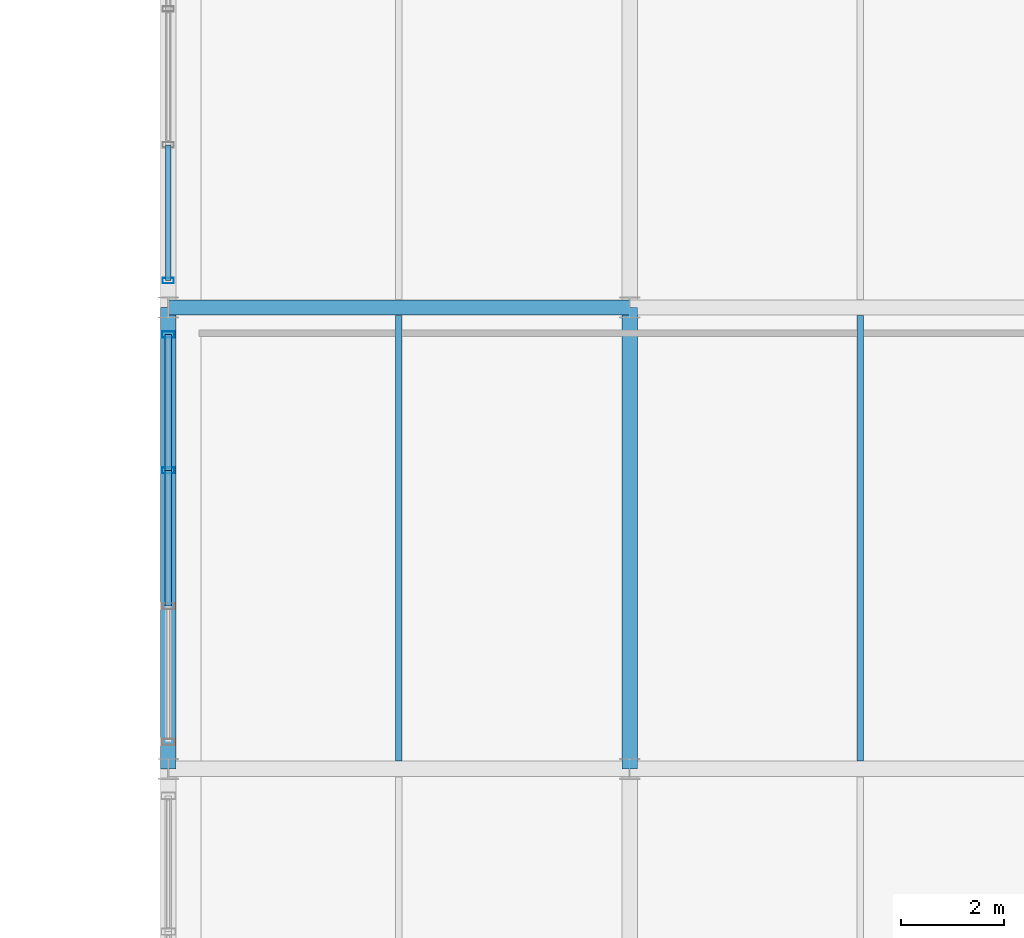
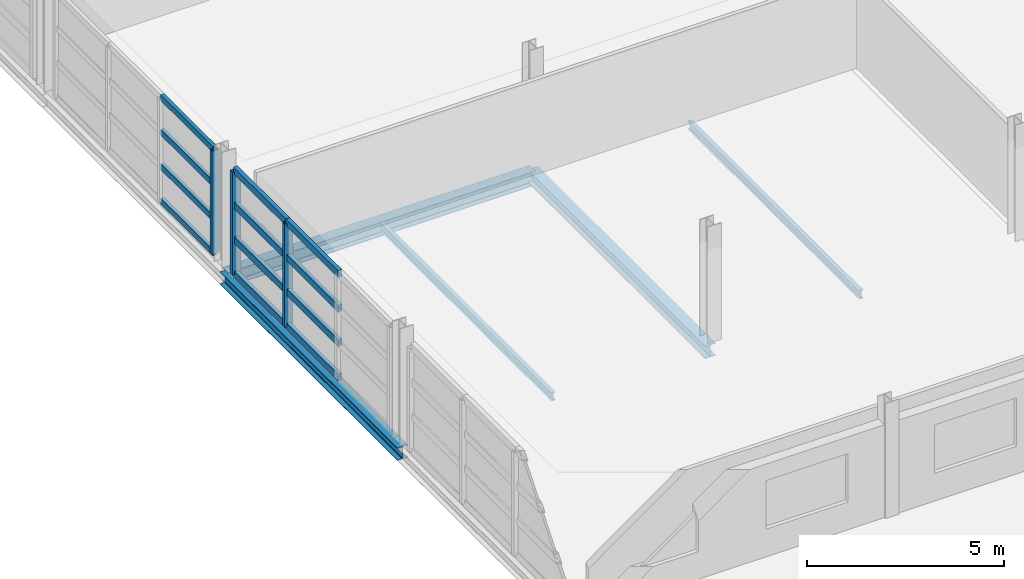
# One storey, part 68 of 116: 15 members, 5 beams, 2 elements without a shape of their own.
"""IFC4 building model written with IfcOpenShell, lengths in metres."""

from ifc_helpers import new_model, si_unit, direction, frame, origin, origin_2d, place, context, subcontext, project, spatial, hollow_rectangle, i_section, extrude, material, material_profile, profile_set, type_object, element, aggregate, save


model = new_model("IFC4")

# Units and contexts
model_context = context("Model", 3, precision=1e-05, world=origin(), true_north=direction((0.0, 1.0)))
body_context = subcontext(model_context, "Body", "Model", "MODEL_VIEW")
ifc_project = project(units=[si_unit("LENGTHUNIT", "METRE"), si_unit("AREAUNIT", "SQUARE_METRE"), si_unit("VOLUMEUNIT", "CUBIC_METRE"), si_unit("PLANEANGLEUNIT", "RADIAN"), si_unit("MASSUNIT", "GRAM", prefix="KILO")], contexts=[model_context])

# Site, building, storey
site_placement = place(None, origin())
site = spatial("IfcSite", under=ifc_project, at=site_placement, CompositionType="ELEMENT")
building_placement = place(site_placement, origin())
building = spatial("IfcBuilding", under=site, at=building_placement, Name="Chuanluo Vaults Station", CompositionType="ELEMENT")
storey_placement = place(building_placement, frame((0.0, 0.0, 10.800048828125)))
storey = spatial("IfcBuildingStorey", under=building, at=storey_placement, Name="L02", CompositionType="ELEMENT", Elevation=10.800048828125)

# Beams
ifc_material_1 = material(Name="Steel Q355C", Category="steel")
ifc_material_profile_1 = material_profile(ifc_material_1, i_section(OverallWidth=0.300048828125, OverallDepth=0.389892578125, WebThickness=0.010009765625, FlangeThickness=0.01611328125, FilletRadius=0.02001953125, at=origin_2d()))
ifc_profile_set_1 = profile_set([ifc_material_profile_1], Name="Steel Q355C")
beam_type_1 = type_object("IfcBeamType", Name="BM-GRD-400", PredefinedType="BEAM", material=ifc_profile_set_1)
for number, where, z_axis, x_axis, name in (
    (1, (145.0, 76.5, -0.4150390625), (0.0, 1.0, 0.0), (-1.0, 0.0, 0.0), "Floor girder BM:GY:L02:0647"),
    (2, (154.0, 76.5, -0.4150390625), (0.0, 1.0, 0.0), (-1.0, 0.0, 0.0), "Floor girder BM:GY:L02:0659"),
):
    element("IfcBeam", number, at=place(storey_placement, frame(where, z_axis=z_axis, x_axis=x_axis)), inside=storey, type_object=beam_type_1, Name=name, PredefinedType="BEAM", context=body_context, shape_type="SweptSolid", body=[
        extrude(i_section(OverallWidth=0.300048828125, OverallDepth=0.389892578125, WebThickness=0.010009765625, FlangeThickness=0.01611328125, FilletRadius=0.02001953125, at=origin_2d()), origin(), (0.0, 0.0, 1.0), 9.0),
    ])
ifc_material_2 = material(Name="Steel Q355C", Category="steel")
ifc_material_profile_2 = material_profile(ifc_material_2, i_section(OverallWidth=0.300048828125, OverallDepth=0.43994140625, WebThickness=0.010986328125, FlangeThickness=0.01806640625, FilletRadius=0.02001953125, at=origin_2d()))
ifc_profile_set_2 = profile_set([ifc_material_profile_2], Name="Steel Q355C")
beam_type_2 = type_object("IfcBeamType", Name="BM-GRD-450", PredefinedType="USERDEFINED", material=ifc_profile_set_2)
beam_placement = place(storey_placement, frame((145.0, 85.5, -0.43994140625), z_axis=(1.0, 0.0, 0.0), x_axis=(0.0, 1.0, 0.0)))
element("IfcBeam", 3, at=beam_placement, inside=storey, type_object=beam_type_2, Name="Floor girder BM:GX:L02:0588", ObjectType="GIRDER", PredefinedType="USERDEFINED", context=body_context, shape_type="SweptSolid", body=[
    extrude(i_section(OverallWidth=0.300048828125, OverallDepth=0.43994140625, WebThickness=0.010986328125, FlangeThickness=0.01806640625, FilletRadius=0.02001953125, at=origin_2d()), origin(), (0.0, 0.0, 1.0), 9.0),
])
ifc_material_3 = material(Name="Steel Q355C", Category="steel")
ifc_material_profile_3 = material_profile(ifc_material_3, i_section(OverallWidth=0.125, OverallDepth=0.25, WebThickness=0.006103515625, FlangeThickness=0.009033203125, FilletRadius=0.011962890625, at=origin_2d()))
ifc_profile_set_3 = profile_set([ifc_material_profile_3], Name="Steel Q355C")
beam_type_3 = type_object("IfcBeamType", Name="BM-SEC-250", PredefinedType="JOIST", material=ifc_profile_set_3)
for number, where, z_axis, x_axis, name in (
    (4, (149.5, 76.655029296875, -0.344970703125), (0.0, 1.0, 0.0), (-1.0, 0.0, 0.0), "Composite secondary joist 0204"),
    (5, (158.5, 76.655029296875, -0.344970703125), (0.0, 1.0, 0.0), (-1.0, 0.0, 0.0), "Composite secondary joist 0213"),
):
    element("IfcBeam", number, at=place(storey_placement, frame(where, z_axis=z_axis, x_axis=x_axis)), inside=storey, type_object=beam_type_3, Name=name, PredefinedType="JOIST", context=body_context, shape_type="SweptSolid", body=[
        extrude(i_section(OverallWidth=0.125, OverallDepth=0.25, WebThickness=0.006103515625, FlangeThickness=0.009033203125, FilletRadius=0.011962890625, at=origin_2d()), origin(), (0.0, 0.0, 1.0), 8.68994140625),
    ])

# Curtain wall, member
ifc_material_4 = material(Name="Anodised aluminium 6063-T6", Category="aluminium")
curtain_wall_type_1 = type_object("IfcCurtainWallType", Name="CW-SYS-04", PredefinedType="NOTDEFINED", material=ifc_material_4)
curtain_wall_1_placement = place(storey_placement, origin())
curtain_wall_1 = element("IfcCurtainWall", 6, at=curtain_wall_1_placement, inside=storey, type_object=curtain_wall_type_1, Name="Operations L02 facade CW", PredefinedType="NOTDEFINED")
ifc_material_5 = material(Name="Anodised aluminium 6063-T6", Category="aluminium")
ifc_material_profile_4 = material_profile(ifc_material_5, hollow_rectangle(XDim=0.10498046875, YDim=0.219970703125, WallThickness=0.006103515625, at=origin_2d()))
ifc_profile_set_4 = profile_set([ifc_material_profile_4], Name="Anodised aluminium 6063-T6")
member_type_1 = type_object("IfcMemberType", Name="CWM-140", PredefinedType="MULLION", material=ifc_profile_set_4)
member_1_placement = place(storey_placement, frame((145.0, 86.02490234375, 0.0), z_axis=(0.0, 0.0, 1.0), x_axis=(0.0, 1.0, 0.0)))
member_1 = element("IfcMember", 7, at=member_1_placement, type_object=member_type_1, Name="Operations L02 facade CW mullion 1", PredefinedType="MULLION", context=body_context, shape_type="SweptSolid", body=[
    extrude(hollow_rectangle(XDim=0.10498046875, YDim=0.219970703125, WallThickness=0.006103515625, at=origin_2d()), origin(), (0.0, 0.0, 1.0), 3.199951171875),
])

# Curtain wall, members
ifc_material_6 = material(Name="Anodised aluminium 6063-T6", Category="aluminium")
curtain_wall_type_2 = type_object("IfcCurtainWallType", Name="CW-SYS-03", PredefinedType="NOTDEFINED", material=ifc_material_6)
curtain_wall_2_placement = place(storey_placement, origin())
curtain_wall_2 = element("IfcCurtainWall", 8, at=curtain_wall_2_placement, inside=storey, type_object=curtain_wall_type_2, Name="Operations L02 facade CW", PredefinedType="NOTDEFINED")
ifc_material_7 = material(Name="Anodised aluminium 6063-T6", Category="aluminium")
ifc_material_profile_5 = material_profile(ifc_material_7, hollow_rectangle(XDim=0.1201171875, YDim=0.25, WallThickness=0.006103515625, at=origin_2d()))
ifc_profile_set_5 = profile_set([ifc_material_profile_5], Name="Anodised aluminium 6063-T6")
member_type_2 = type_object("IfcMemberType", Name="CWM-160", PredefinedType="MULLION", material=ifc_profile_set_5)
member_2_placement = place(storey_placement, frame((145.0, 82.324951171875, 0.0), z_axis=(0.0, 0.0, 1.0), x_axis=(0.0, 1.0, 0.0)))
member_2 = element("IfcMember", 9, at=member_2_placement, type_object=member_type_2, Name="Operations L02 facade CW mullion 3", PredefinedType="MULLION", context=body_context, shape_type="SweptSolid", body=[
    extrude(hollow_rectangle(XDim=0.1201171875, YDim=0.25, WallThickness=0.006103515625, at=origin_2d()), origin(), (0.0, 0.0, 1.0), 3.199951171875),
])
member_3_placement = place(storey_placement, frame((145.0, 84.97509765625, 0.0), z_axis=(0.0, 0.0, 1.0), x_axis=(0.0, 1.0, 0.0)))
member_3 = element("IfcMember", 10, at=member_3_placement, type_object=member_type_2, Name="Operations L02 facade CW mullion 4", PredefinedType="MULLION", context=body_context, shape_type="SweptSolid", body=[
    extrude(hollow_rectangle(XDim=0.1201171875, YDim=0.25, WallThickness=0.006103515625, at=origin_2d()), origin(), (0.0, 0.0, 1.0), 3.199951171875),
])

# Member
ifc_material_8 = material(Name="Anodised aluminium 6063-T6", Category="aluminium")
ifc_material_profile_6 = material_profile(ifc_material_8, hollow_rectangle(XDim=0.10498046875, YDim=0.18505859375, WallThickness=0.0048828125, at=origin_2d()))
ifc_profile_set_6 = profile_set([ifc_material_profile_6], Name="Anodised aluminium 6063-T6")
member_type_3 = type_object("IfcMemberType", Name="CWT-110", PredefinedType="USERDEFINED", material=ifc_profile_set_6)
member_4_placement = place(storey_placement, frame((145.0, 86.02490234375, 0.0), z_axis=(0.0, 1.0, 0.0), x_axis=(-1.0, 0.0, 0.0)))
member_4 = element("IfcMember", 11, at=member_4_placement, type_object=member_type_3, Name="Operations L02 facade CW transom 1.1", ObjectType="TRANSOM", PredefinedType="USERDEFINED", context=body_context, shape_type="SweptSolid", body=[
    extrude(hollow_rectangle(XDim=0.10498046875, YDim=0.18505859375, WallThickness=0.0048828125, at=origin_2d()), origin(), (0.0, 0.0, 1.0), 2.650146484375),
])

member_5_placement = place(storey_placement, frame((145.0, 86.02490234375, 1.066650390625), z_axis=(0.0, 1.0, 0.0), x_axis=(-1.0, 0.0, 0.0)))
member_5 = element("IfcMember", 12, at=member_5_placement, type_object=member_type_3, Name="Operations L02 facade CW transom 1.2", ObjectType="TRANSOM", PredefinedType="USERDEFINED", context=body_context, shape_type="SweptSolid", body=[
    extrude(hollow_rectangle(XDim=0.10498046875, YDim=0.18505859375, WallThickness=0.0048828125, at=origin_2d()), origin(), (0.0, 0.0, 1.0), 2.650146484375),
])

member_6_placement = place(storey_placement, frame((145.0, 86.02490234375, 2.13330078125), z_axis=(0.0, 1.0, 0.0), x_axis=(-1.0, 0.0, 0.0)))
member_6 = element("IfcMember", 13, at=member_6_placement, type_object=member_type_3, Name="Operations L02 facade CW transom 1.3", ObjectType="TRANSOM", PredefinedType="USERDEFINED", context=body_context, shape_type="SweptSolid", body=[
    extrude(hollow_rectangle(XDim=0.10498046875, YDim=0.18505859375, WallThickness=0.0048828125, at=origin_2d()), origin(), (0.0, 0.0, 1.0), 2.650146484375),
])

member_7_placement = place(storey_placement, frame((145.0, 86.02490234375, 3.199951171875), z_axis=(0.0, 1.0, 0.0), x_axis=(-1.0, 0.0, 0.0)))
member_7 = element("IfcMember", 14, at=member_7_placement, type_object=member_type_3, Name="Operations L02 facade CW transom 1.4", ObjectType="TRANSOM", PredefinedType="USERDEFINED", context=body_context, shape_type="SweptSolid", body=[
    extrude(hollow_rectangle(XDim=0.10498046875, YDim=0.18505859375, WallThickness=0.0048828125, at=origin_2d()), origin(), (0.0, 0.0, 1.0), 2.650146484375),
])

aggregate(curtain_wall_1, [member_1, member_4, member_5, member_6, member_7])

ifc_material_9 = material(Name="Anodised aluminium 6063-T6", Category="aluminium")
ifc_material_profile_7 = material_profile(ifc_material_9, hollow_rectangle(XDim=0.1201171875, YDim=0.205078125, WallThickness=0.006103515625, at=origin_2d()))
ifc_profile_set_7 = profile_set([ifc_material_profile_7], Name="Anodised aluminium 6063-T6")
member_type_4 = type_object("IfcMemberType", Name="CWT-130", PredefinedType="USERDEFINED", material=ifc_profile_set_7)
member_8_placement = place(storey_placement, frame((145.0, 79.675048828125, 0.0), z_axis=(0.0, 1.0, 0.0), x_axis=(-1.0, 0.0, 0.0)))
member_8 = element("IfcMember", 15, at=member_8_placement, type_object=member_type_4, Name="Operations L02 facade CW transom 2.1", ObjectType="TRANSOM", PredefinedType="USERDEFINED", context=body_context, shape_type="SweptSolid", body=[
    extrude(hollow_rectangle(XDim=0.1201171875, YDim=0.205078125, WallThickness=0.006103515625, at=origin_2d()), origin(), (0.0, 0.0, 1.0), 2.64990234375),
])

member_9_placement = place(storey_placement, frame((145.0, 79.675048828125, 1.066650390625), z_axis=(0.0, 1.0, 0.0), x_axis=(-1.0, 0.0, 0.0)))
member_9 = element("IfcMember", 16, at=member_9_placement, type_object=member_type_4, Name="Operations L02 facade CW transom 2.2", ObjectType="TRANSOM", PredefinedType="USERDEFINED", context=body_context, shape_type="SweptSolid", body=[
    extrude(hollow_rectangle(XDim=0.1201171875, YDim=0.205078125, WallThickness=0.006103515625, at=origin_2d()), origin(), (0.0, 0.0, 1.0), 2.64990234375),
])

member_10_placement = place(storey_placement, frame((145.0, 79.675048828125, 2.13330078125), z_axis=(0.0, 1.0, 0.0), x_axis=(-1.0, 0.0, 0.0)))
member_10 = element("IfcMember", 17, at=member_10_placement, type_object=member_type_4, Name="Operations L02 facade CW transom 2.3", ObjectType="TRANSOM", PredefinedType="USERDEFINED", context=body_context, shape_type="SweptSolid", body=[
    extrude(hollow_rectangle(XDim=0.1201171875, YDim=0.205078125, WallThickness=0.006103515625, at=origin_2d()), origin(), (0.0, 0.0, 1.0), 2.64990234375),
])

member_11_placement = place(storey_placement, frame((145.0, 79.675048828125, 3.199951171875), z_axis=(0.0, 1.0, 0.0), x_axis=(-1.0, 0.0, 0.0)))
member_11 = element("IfcMember", 18, at=member_11_placement, type_object=member_type_4, Name="Operations L02 facade CW transom 2.4", ObjectType="TRANSOM", PredefinedType="USERDEFINED", context=body_context, shape_type="SweptSolid", body=[
    extrude(hollow_rectangle(XDim=0.1201171875, YDim=0.205078125, WallThickness=0.006103515625, at=origin_2d()), origin(), (0.0, 0.0, 1.0), 2.64990234375),
])

member_12_placement = place(storey_placement, frame((145.0, 82.324951171875, 0.0), z_axis=(0.0, 1.0, 0.0), x_axis=(-1.0, 0.0, 0.0)))
member_12 = element("IfcMember", 19, at=member_12_placement, type_object=member_type_4, Name="Operations L02 facade CW transom 3.1", ObjectType="TRANSOM", PredefinedType="USERDEFINED", context=body_context, shape_type="SweptSolid", body=[
    extrude(hollow_rectangle(XDim=0.1201171875, YDim=0.205078125, WallThickness=0.006103515625, at=origin_2d()), origin(), (0.0, 0.0, 1.0), 2.650146484375),
])

member_13_placement = place(storey_placement, frame((145.0, 82.324951171875, 1.066650390625), z_axis=(0.0, 1.0, 0.0), x_axis=(-1.0, 0.0, 0.0)))
member_13 = element("IfcMember", 20, at=member_13_placement, type_object=member_type_4, Name="Operations L02 facade CW transom 3.2", ObjectType="TRANSOM", PredefinedType="USERDEFINED", context=body_context, shape_type="SweptSolid", body=[
    extrude(hollow_rectangle(XDim=0.1201171875, YDim=0.205078125, WallThickness=0.006103515625, at=origin_2d()), origin(), (0.0, 0.0, 1.0), 2.650146484375),
])

member_14_placement = place(storey_placement, frame((145.0, 82.324951171875, 2.13330078125), z_axis=(0.0, 1.0, 0.0), x_axis=(-1.0, 0.0, 0.0)))
member_14 = element("IfcMember", 21, at=member_14_placement, type_object=member_type_4, Name="Operations L02 facade CW transom 3.3", ObjectType="TRANSOM", PredefinedType="USERDEFINED", context=body_context, shape_type="SweptSolid", body=[
    extrude(hollow_rectangle(XDim=0.1201171875, YDim=0.205078125, WallThickness=0.006103515625, at=origin_2d()), origin(), (0.0, 0.0, 1.0), 2.650146484375),
])

member_15_placement = place(storey_placement, frame((145.0, 82.324951171875, 3.199951171875), z_axis=(0.0, 1.0, 0.0), x_axis=(-1.0, 0.0, 0.0)))
member_15 = element("IfcMember", 22, at=member_15_placement, type_object=member_type_4, Name="Operations L02 facade CW transom 3.4", ObjectType="TRANSOM", PredefinedType="USERDEFINED", context=body_context, shape_type="SweptSolid", body=[
    extrude(hollow_rectangle(XDim=0.1201171875, YDim=0.205078125, WallThickness=0.006103515625, at=origin_2d()), origin(), (0.0, 0.0, 1.0), 2.650146484375),
])

aggregate(curtain_wall_2, [member_2, member_3, member_8, member_9, member_10, member_11, member_12, member_13, member_14, member_15])

save(model, "model.ifc")
